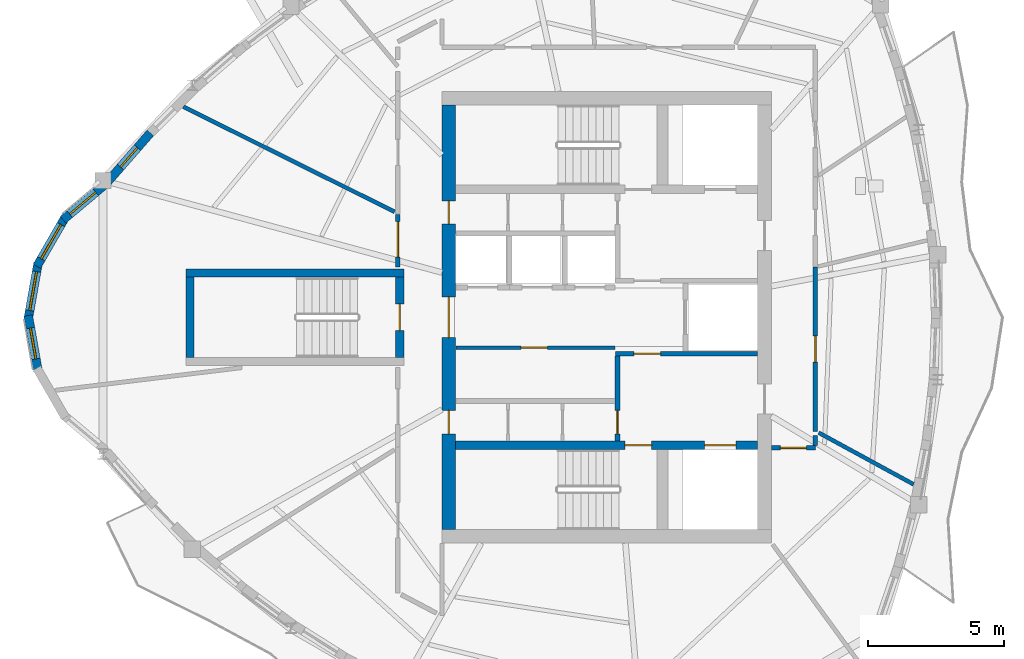
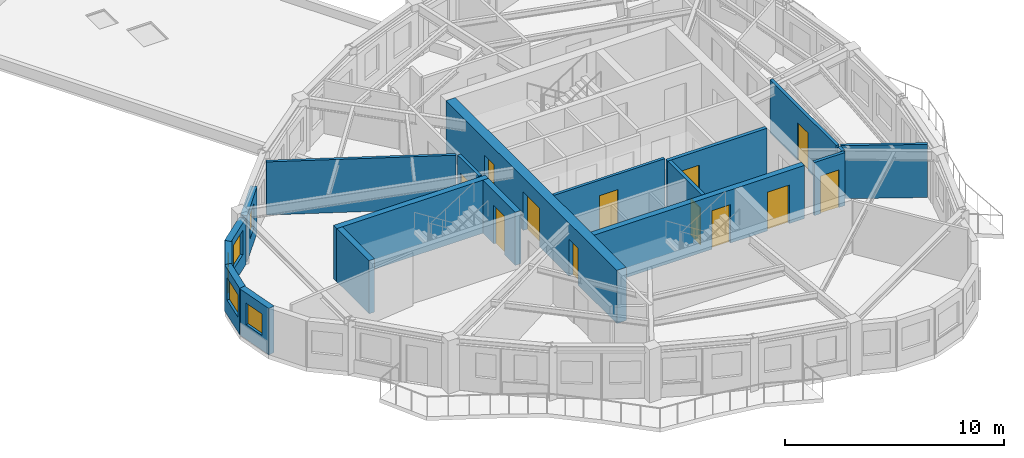
# One storey, part 4 of 11: 19 walls, 12 doors, 5 windows, 17 openings.
"""IFC4 building model written with IfcOpenShell, lengths in metres."""

from ifc_helpers import new_model, si_unit, direction, frame, frame_2d, origin, place, context, subcontext, project, spatial, rectangle, extrude, source, transform, mapped, material, layer, layer_set, type_object, element, fill, save


model = new_model("IFC4")

# Units and contexts
model_context = context("Model", 3, precision=1e-05, world=origin(), true_north=direction((0.0, 1.0)))
body_context = subcontext(model_context, "Body", "Model", "MODEL_VIEW")
ifc_project = project(units=[si_unit("LENGTHUNIT", "METRE"), si_unit("AREAUNIT", "SQUARE_METRE"), si_unit("VOLUMEUNIT", "CUBIC_METRE"), si_unit("PLANEANGLEUNIT", "RADIAN"), si_unit("MASSUNIT", "GRAM", prefix="KILO")], contexts=[model_context])

# Site, building, storey
site_placement = place(None, origin())
site = spatial("IfcSite", under=ifc_project, at=site_placement, CompositionType="ELEMENT")
building_placement = place(site_placement, origin())
building = spatial("IfcBuilding", under=site, at=building_placement, Name="Qafzar Sky-Pleat Residences", CompositionType="ELEMENT")
storey_placement = place(building_placement, frame((0.0, 0.0, 214.800048828125)))
storey = spatial("IfcBuildingStorey", under=building, at=storey_placement, Name="L64", CompositionType="ELEMENT", Elevation=214.800048828125)

# Wall, opening, door
ifc_material_1 = material(Name="Acoustic gypsum plasterboard partition", Category="gypsum")
ifc_layer_1 = layer(ifc_material_1, 0.159912109375)
ifc_layer_set_1 = layer_set([ifc_layer_1], Name="Acoustic gypsum plasterboard partition")
wall_type_1 = type_object("IfcWallType", Name="PART-COR-160", PredefinedType="PARTITIONING", material=ifc_layer_set_1)
wall_1_placement = place(storey_placement, frame((38.02001953125, 27.85498046875, 0.0), z_axis=(0.0, 0.0, 1.0), x_axis=(0.0, -1.0, 0.0)))
wall_1 = element("IfcWall", 1, at=wall_1_placement, inside=storey, type_object=wall_type_1, Name="L64 Partition Wall PART-L64-PW-001", PredefinedType="PARTITIONING", context=body_context, shape_type="SweptSolid", body=[
    extrude(rectangle(XDim=6.046875, YDim=0.159912109375, at=frame_2d((3.0234375, 0.0))), origin(), (0.0, 0.0, 1.0), 2.9599609375),
])
opening_1_placement = place(wall_1_placement, frame((2.54248046875, 0.0, 0.0)))
opening_1 = element("IfcOpeningElement", 2, at=opening_1_placement, cuts=wall_1, Name="Opening ID-06", PredefinedType="OPENING", context=body_context, shape_type="SweptSolid", body=[
    extrude(rectangle(XDim=0.9599609375, YDim=2.10009765625, at=frame_2d((0.47998046875, 1.050048828125))), frame((0.0, 0.08984375, 0.0), z_axis=(0.0, -1.0, 0.0), x_axis=(1.0, 0.0, 0.0)), (0.0, 0.0, 1.0), 0.179931640625),
])
ifc_material_2 = material(Name="Timber-faced fire door", Category="wood")
door_type_1 = type_object("IfcDoorType", Name="DR-STD-960", OperationType="NOTDEFINED", PredefinedType="DOOR", material=ifc_material_2)
shared_shape_1 = source(origin(), body_context, "Body", "SweptSolid", [
    extrude(rectangle(XDim=0.9599609375, YDim=2.10009765625, at=frame_2d((0.47998046875, 1.050048828125))), frame((0.0, 0.02490234375, 0.0), z_axis=(0.0, -1.0, 0.0), x_axis=(1.0, 0.0, 0.0)), (0.0, 0.0, 1.0), 0.050048828125),
])
door_1_placement = place(opening_1_placement, origin())
door_1 = element("IfcDoor", 3, at=door_1_placement, inside=storey, type_object=door_type_1, Name="L64 Media Screening Room Door", OperationType="SINGLE_SWING_RIGHT", OverallHeight=2.10009765625, OverallWidth=0.9599609375, PredefinedType="DOOR", context=body_context, shape_type="MappedRepresentation", body=[
    mapped(shared_shape_1, transform((0.0, 0.0, 0.0), x_axis=(1.0, 0.0, 0.0), y_axis=(0.0, 1.0, 0.0), z_axis=(0.0, 0.0, 1.0), scale=1.0)),
])
fill(opening_1, door_1)

wall_2_placement = place(storey_placement, frame((22.679931640625, 27.85009765625, 0.0), z_axis=(0.0, 0.0, 1.0), x_axis=(0.0, 1.0, 0.0)))
wall_2 = element("IfcWall", 4, at=wall_2_placement, inside=storey, type_object=wall_type_1, Name="L64 Partition Wall PART-L64-PW-009", PredefinedType="PARTITIONING", context=body_context, shape_type="SweptSolid", body=[
    extrude(rectangle(XDim=1.932861328125, YDim=0.159912109375, at=frame_2d((0.96630859375, 0.0))), origin(), (0.0, 0.0, 1.0), 2.9599609375),
])
opening_2_placement = place(wall_2_placement, frame((0.362060546875, 0.0, 0.0)))
opening_2 = element("IfcOpeningElement", 5, at=opening_2_placement, cuts=wall_2, Name="Opening ID-05", PredefinedType="OPENING", context=body_context, shape_type="SweptSolid", body=[
    extrude(rectangle(XDim=1.300048828125, YDim=2.10009765625, at=frame_2d((0.64990234375, 1.050048828125))), frame((0.0, 0.08984375, 0.0), z_axis=(0.0, -1.0, 0.0), x_axis=(1.0, 0.0, 0.0)), (0.0, 0.0, 1.0), 0.179931640625),
])
door_type_2 = type_object("IfcDoorType", Name="DR-LNG-1300", OperationType="DOUBLE_DOOR_SINGLE_SWING", PredefinedType="DOOR", material=ifc_material_2)
shared_shape_2 = source(origin(), body_context, "Body", "SweptSolid", [
    extrude(rectangle(XDim=1.300048828125, YDim=2.10009765625, at=frame_2d((0.64990234375, 1.050048828125))), frame((0.0, 0.02490234375, 0.0), z_axis=(0.0, -1.0, 0.0), x_axis=(1.0, 0.0, 0.0)), (0.0, 0.0, 1.0), 0.050048828125),
])
door_2_placement = place(opening_2_placement, origin())
door_2 = element("IfcDoor", 6, at=door_2_placement, inside=storey, type_object=door_type_2, Name="L64 Tutorial Huddle Room Door", OperationType="DOUBLE_DOOR_SINGLE_SWING", OverallHeight=2.10009765625, OverallWidth=1.300048828125, PredefinedType="DOOR", context=body_context, shape_type="MappedRepresentation", body=[
    mapped(shared_shape_2, transform((0.0, 0.0, 0.0), x_axis=(1.0, 0.0, 0.0), y_axis=(0.0, 1.0, 0.0), z_axis=(0.0, 0.0, 1.0), scale=1.0)),
])
fill(opening_2, door_2)

wall_3_placement = place(storey_placement, frame((38.02001953125, 21.199951171875, 0.0), z_axis=(0.0, 0.0, 1.0), x_axis=(-1.0, 0.0, 0.0)))
wall_3 = element("IfcWall", 7, at=wall_3_placement, inside=storey, type_object=wall_type_1, Name="L64 Partition Wall PART-L64-PW-010", PredefinedType="PARTITIONING", context=body_context, shape_type="SweptSolid", body=[
    extrude(rectangle(XDim=1.612060546875, YDim=0.159912109375, at=frame_2d((0.80615234375, 0.0))), origin(), (0.0, 0.0, 1.0), 2.9599609375),
])
opening_3_placement = place(wall_3_placement, frame((0.330078125, 0.0, 0.0)))
opening_3 = element("IfcOpeningElement", 8, at=opening_3_placement, cuts=wall_3, Name="Opening ID-06", PredefinedType="OPENING", context=body_context, shape_type="SweptSolid", body=[
    extrude(rectangle(XDim=0.9599609375, YDim=2.10009765625, at=frame_2d((0.47998046875, 1.050048828125))), frame((0.0, 0.08984375, 0.0), z_axis=(0.0, -1.0, 0.0), x_axis=(1.0, 0.0, 0.0)), (0.0, 0.0, 1.0), 0.179931640625),
])
door_3_placement = place(opening_3_placement, origin())
door_3 = element("IfcDoor", 9, at=door_3_placement, inside=storey, type_object=door_type_1, Name="L64 Music Practice Room Door", OperationType="SINGLE_SWING_LEFT", OverallHeight=2.10009765625, OverallWidth=0.9599609375, PredefinedType="DOOR", context=body_context, shape_type="MappedRepresentation", body=[
    mapped(shared_shape_1, transform((0.0, 0.0, 0.0), x_axis=(1.0, 0.0, 0.0), y_axis=(0.0, 1.0, 0.0), z_axis=(0.0, 0.0, 1.0), scale=1.0)),
])
fill(opening_3, door_3)

# Wall
wall_4_placement = place(storey_placement, frame((38.02001953125, 21.2880859375, 0.0), z_axis=(0.0, 0.0, 1.0), x_axis=(0.0, 1.0, 0.0)))
element("IfcWall", 10, at=wall_4_placement, inside=storey, type_object=wall_type_1, Name="L64 Partition Wall PART-L64-PW-030", PredefinedType="PARTITIONING", context=body_context, shape_type="SweptSolid", body=[
    extrude(rectangle(XDim=0.370849609375, YDim=0.159912109375, at=frame_2d((0.185546875, 0.0))), origin(), (0.0, 0.0, 1.0), 2.9599609375),
])

# Wall, opening, door
ifc_material_3 = material(Name="Concrete blockwork partition", Category="masonry")
ifc_layer_2 = layer(ifc_material_3, 0.179931640625)
ifc_layer_set_2 = layer_set([ifc_layer_2], Name="Concrete blockwork partition")
wall_type_2 = type_object("IfcWallType", Name="PART-SHAFT-180", PredefinedType="PARTITIONING", material=ifc_layer_set_2)
wall_5_placement = place(storey_placement, frame((30.75, 21.4599609375, 0.0), z_axis=(0.0, 0.0, 1.0), x_axis=(0.0, 1.0, 0.0)))
wall_5 = element("IfcWall", 11, at=wall_5_placement, inside=storey, type_object=wall_type_2, Name="L64 Partition Wall PART-L64-FFL1-W", PredefinedType="PARTITIONING", context=body_context, shape_type="SweptSolid", body=[
    extrude(rectangle(XDim=3.110107421875, YDim=0.179931640625, at=frame_2d((1.55517578125, 0.0))), origin(), (0.0, 0.0, 1.0), 2.9599609375),
])
opening_4_placement = place(wall_5_placement, frame((0.260009765625, 0.0, 0.0)))
opening_4 = element("IfcOpeningElement", 12, at=opening_4_placement, cuts=wall_5, Name="Opening ID-09", PredefinedType="OPENING", context=body_context, shape_type="SweptSolid", body=[
    extrude(rectangle(XDim=0.860107421875, YDim=2.050048828125, at=frame_2d((0.43017578125, 1.02490234375))), frame((0.0, 0.10009765625, 0.0), z_axis=(0.0, -1.0, 0.0), x_axis=(1.0, 0.0, 0.0)), (0.0, 0.0, 1.0), 0.199951171875),
])
door_type_3 = type_object("IfcDoorType", Name="DR-SVC-860", OperationType="NOTDEFINED", PredefinedType="DOOR", material=ifc_material_2)
shared_shape_3 = source(origin(), body_context, "Body", "SweptSolid", [
    extrude(rectangle(XDim=0.860107421875, YDim=2.050048828125, at=frame_2d((0.43017578125, 1.02490234375))), frame((0.0, 0.02490234375, 0.0), z_axis=(0.0, -1.0, 0.0), x_axis=(1.0, 0.0, 0.0)), (0.0, 0.0, 1.0), 0.050048828125),
])
door_4_placement = place(opening_4_placement, origin())
door_4 = element("IfcDoor", 13, at=door_4_placement, inside=storey, type_object=door_type_3, Name="L64 South Core Cupboard Door", OperationType="SINGLE_SWING_LEFT", OverallHeight=2.050048828125, OverallWidth=0.860107421875, PredefinedType="DOOR", context=body_context, shape_type="MappedRepresentation", body=[
    mapped(shared_shape_3, transform((0.0, 0.0, 0.0), x_axis=(1.0, 0.0, 0.0), y_axis=(0.0, 1.0, 0.0), z_axis=(0.0, 0.0, 1.0), scale=1.0)),
])
fill(opening_4, door_4)

wall_6_placement = place(storey_placement, frame((30.669921875, 24.659912109375, 0.0), z_axis=(0.0, 0.0, 1.0), x_axis=(1.0, 0.0, 0.0)))
wall_6 = element("IfcWall", 14, at=wall_6_placement, inside=storey, type_object=wall_type_2, Name="L64 Partition Wall PART-L64-FFL1-N", PredefinedType="PARTITIONING", context=body_context, shape_type="SweptSolid", body=[
    extrude(rectangle(XDim=5.219970703125, YDim=0.179931640625, at=frame_2d((2.60986328125, 0.0))), origin(), (0.0, 0.0, 1.0), 2.9599609375),
])
opening_5_placement = place(wall_6_placement, frame((0.679931640625, 0.0, 0.0)))
opening_5 = element("IfcOpeningElement", 15, at=opening_5_placement, cuts=wall_6, Name="Opening ID-01", PredefinedType="OPENING", context=body_context, shape_type="SweptSolid", body=[
    extrude(rectangle(XDim=0.97998046875, YDim=2.14990234375, at=frame_2d((0.489990234375, 1.074951171875))), frame((0.0, 0.10009765625, 0.0), z_axis=(0.0, -1.0, 0.0), x_axis=(1.0, 0.0, 0.0)), (0.0, 0.0, 1.0), 0.199951171875),
])
door_type_4 = type_object("IfcDoorType", Name="DR-STAIR-980", OperationType="NOTDEFINED", PredefinedType="DOOR", material=ifc_material_2)
shared_shape_4 = source(origin(), body_context, "Body", "SweptSolid", [
    extrude(rectangle(XDim=0.97998046875, YDim=2.14990234375, at=frame_2d((0.489990234375, 1.074951171875))), frame((0.0, 0.02490234375, 0.0), z_axis=(0.0, -1.0, 0.0), x_axis=(1.0, 0.0, 0.0)), (0.0, 0.0, 1.0), 0.050048828125),
])
door_5_placement = place(opening_5_placement, origin())
door_5 = element("IfcDoor", 16, at=door_5_placement, inside=storey, type_object=door_type_4, Name="L64 Lift Lobby to South Firefighting Lobby Door", OperationType="SINGLE_SWING_RIGHT", OverallHeight=2.14990234375, OverallWidth=0.97998046875, PredefinedType="DOOR", context=body_context, shape_type="MappedRepresentation", body=[
    mapped(shared_shape_4, transform((0.0, 0.0, 0.0), x_axis=(1.0, 0.0, 0.0), y_axis=(0.0, 1.0, 0.0), z_axis=(0.0, 0.0, 1.0), scale=1.0)),
])
fill(opening_5, door_5)

ifc_layer_3 = layer(ifc_material_1, 0.14501953125)
ifc_layer_set_3 = layer_set([ifc_layer_3], Name="Acoustic gypsum plasterboard partition")
wall_type_3 = type_object("IfcWallType", Name="PART-UNIT-145", PredefinedType="PARTITIONING", material=ifc_layer_set_3)
wall_7_placement = place(storey_placement, frame((24.81005859375, 24.8798828125, 0.0), z_axis=(0.0, 0.0, 1.0), x_axis=(1.0, 0.0, 0.0)))
wall_7 = element("IfcWall", 17, at=wall_7_placement, inside=storey, type_object=wall_type_3, Name="L64 Partition Wall PART-L64-RECLAIM-N", PredefinedType="PARTITIONING", context=body_context, shape_type="SweptSolid", body=[
    extrude(rectangle(XDim=5.83984375, YDim=0.14501953125, at=frame_2d((2.919921875, 0.0))), origin(), (0.0, 0.0, 1.0), 2.9599609375),
])
opening_6_placement = place(wall_7_placement, frame((2.39990234375, 0.0, 0.0)))
opening_6 = element("IfcOpeningElement", 18, at=opening_6_placement, cuts=wall_7, Name="Opening ID-06", PredefinedType="OPENING", context=body_context, shape_type="SweptSolid", body=[
    extrude(rectangle(XDim=0.9599609375, YDim=2.10009765625, at=frame_2d((0.47998046875, 1.050048828125))), frame((0.0, 0.08251953125, 0.0), z_axis=(0.0, -1.0, 0.0), x_axis=(1.0, 0.0, 0.0)), (0.0, 0.0, 1.0), 0.1650390625),
])
door_6_placement = place(opening_6_placement, origin())
door_6 = element("IfcDoor", 19, at=door_6_placement, inside=storey, type_object=door_type_1, Name="L64 Reclaimed Resident Laundry Room Door", OperationType="SINGLE_SWING_LEFT", OverallHeight=2.10009765625, OverallWidth=0.9599609375, PredefinedType="DOOR", context=body_context, shape_type="MappedRepresentation", body=[
    mapped(shared_shape_1, transform((0.0, 0.0, 0.0), x_axis=(1.0, 0.0, 0.0), y_axis=(0.0, 1.0, 0.0), z_axis=(0.0, 0.0, 1.0), scale=1.0)),
])
fill(opening_6, door_6)

# Walls
wall_8_placement = place(storey_placement, frame((14.801513671875, 33.73388671875, 0.0), z_axis=(0.0, 0.0, 1.0), x_axis=(0.895354955696, -0.445353234311, 0.0)))
element("IfcWall", 20, at=wall_8_placement, inside=storey, type_object=wall_type_3, Name="L64 Partition Wall PART-L64-PW-011", PredefinedType="PARTITIONING", context=body_context, shape_type="SweptSolid", body=[
    extrude(rectangle(XDim=8.665771484375, YDim=0.14501953125, at=frame_2d((4.3330078125, 0.0))), origin(), (0.0, 0.0, 1.0), 2.9599609375),
])
wall_9_placement = place(storey_placement, frame((38.1416015625, 21.7587890625, 0.0), z_axis=(0.0, 0.0, 1.0), x_axis=(0.878323390095, -0.478066964359, 0.0)))
element("IfcWall", 21, at=wall_9_placement, inside=storey, type_object=wall_type_3, Name="L64 Partition Wall PART-L64-PW-018", PredefinedType="PARTITIONING", context=body_context, shape_type="SweptSolid", body=[
    extrude(rectangle(XDim=3.966064453125, YDim=0.14501953125, at=frame_2d((1.98291015625, 0.0))), origin(), (0.0, 0.0, 1.0), 2.9599609375),
])

# Wall, opening, window
ifc_material_4 = material(Name="Precast concrete C40/50 with honed Riyadh limestone", Category="concrete")
ifc_layer_4 = layer(ifc_material_4, 0.320068359375)
ifc_layer_set_4 = layer_set([ifc_layer_4], Name="Precast concrete C40/50 with honed Riyadh limestone")
wall_type_4 = type_object("IfcWallType", Name="WALL-EXT-320", PredefinedType="SOLIDWALL", material=ifc_layer_set_4)
wall_10_placement = place(storey_placement, frame((11.8837890625, 30.842529296875, 0.0), z_axis=(0.0, 0.0, 1.0), x_axis=(-0.76606505432, -0.642763045414, 0.0)))
wall_10 = element("IfcWall", 22, at=wall_10_placement, inside=storey, type_object=wall_type_4, Name="L64 Limestone Facade Wall 1", PredefinedType="SOLIDWALL", context=body_context, shape_type="SweptSolid", body=[
    extrude(rectangle(XDim=1.962158203125, YDim=0.320068359375, at=frame_2d((0.98095703125, 0.0))), origin(), (0.0, 0.0, 1.0), 2.579833984375),
])
opening_7_placement = place(wall_10_placement, frame((0.39111328125, 0.0, 0.820068359375)))
opening_7 = element("IfcOpeningElement", 23, at=opening_7_placement, cuts=wall_10, Name="Opening WN-11", PredefinedType="OPENING", context=body_context, shape_type="SweptSolid", body=[
    extrude(rectangle(XDim=1.25, YDim=1.35009765625, at=frame_2d((0.625, 0.675048828125))), frame((0.0, 0.169921875, 0.0), z_axis=(0.0, -1.0, 0.0), x_axis=(1.0, 0.0, 0.0)), (0.0, 0.0, 1.0), 0.340087890625),
])
ifc_material_5 = material(Name="Solar-control low-E glass in bronze aluminium frame", Category="glass")
window_type_1 = type_object("IfcWindowType", Name="WIN-11", PartitioningType="SINGLE_PANEL", PredefinedType="WINDOW", material=ifc_material_5)
shared_shape_5 = source(origin(), body_context, "Body", "SweptSolid", [
    extrude(rectangle(XDim=1.25, YDim=1.35009765625, at=frame_2d((0.625, 0.675048828125))), frame((0.0, 0.030029296875, 0.0), z_axis=(0.0, -1.0, 0.0), x_axis=(1.0, 0.0, 0.0)), (0.0, 0.0, 1.0), 0.06005859375),
])
window_1_placement = place(opening_7_placement, origin())
window_1 = element("IfcWindow", 24, at=window_1_placement, inside=storey, type_object=window_type_1, Name="L64 Punched Facade Window 01", OverallHeight=1.35009765625, OverallWidth=1.25, PartitioningType="SINGLE_PANEL", PredefinedType="WINDOW", context=body_context, shape_type="MappedRepresentation", body=[
    mapped(shared_shape_5, transform((0.0, 0.0, 0.0), x_axis=(1.0, 0.0, 0.0), y_axis=(0.0, 1.0, 0.0), z_axis=(0.0, 0.0, 1.0), scale=1.0)),
])
fill(opening_7, window_1)

wall_11_placement = place(storey_placement, frame((10.464599609375, 29.68115234375, 0.0), z_axis=(0.0, 0.0, 1.0), x_axis=(-0.499995423472, -0.866028046028, 0.0)))
wall_11 = element("IfcWall", 25, at=wall_11_placement, inside=storey, type_object=wall_type_4, Name="L64 Limestone Facade Wall 2", PredefinedType="SOLIDWALL", context=body_context, shape_type="SweptSolid", body=[
    extrude(rectangle(XDim=2.09033203125, YDim=0.320068359375, at=frame_2d((1.045166015625, 0.0))), origin(), (0.0, 0.0, 1.0), 2.579833984375),
])
opening_8_placement = place(wall_11_placement, frame((0.3203125, 0.0, 0.820068359375)))
opening_8 = element("IfcOpeningElement", 26, at=opening_8_placement, cuts=wall_11, Name="Opening WN-15", PredefinedType="OPENING", context=body_context, shape_type="SweptSolid", body=[
    extrude(rectangle(XDim=1.449951171875, YDim=1.25, at=frame_2d((0.72509765625, 0.625))), frame((0.0, 0.169921875, 0.0), z_axis=(0.0, -1.0, 0.0), x_axis=(1.0, 0.0, 0.0)), (0.0, 0.0, 1.0), 0.340087890625),
])
window_type_2 = type_object("IfcWindowType", Name="WIN-15", PartitioningType="SINGLE_PANEL", PredefinedType="WINDOW", material=ifc_material_5)
shared_shape_6 = source(origin(), body_context, "Body", "SweptSolid", [
    extrude(rectangle(XDim=1.449951171875, YDim=1.25, at=frame_2d((0.72509765625, 0.625))), frame((0.0, 0.030029296875, 0.0), z_axis=(0.0, -1.0, 0.0), x_axis=(1.0, 0.0, 0.0)), (0.0, 0.0, 1.0), 0.06005859375),
])
window_2_placement = place(opening_8_placement, origin())
window_2 = element("IfcWindow", 27, at=window_2_placement, inside=storey, type_object=window_type_2, Name="L64 Punched Facade Window 02", OverallHeight=1.25, OverallWidth=1.449951171875, PartitioningType="SINGLE_PANEL", PredefinedType="WINDOW", context=body_context, shape_type="MappedRepresentation", body=[
    mapped(shared_shape_6, transform((0.0, 0.0, 0.0), x_axis=(1.0, 0.0, 0.0), y_axis=(0.0, 1.0, 0.0), z_axis=(0.0, 0.0, 1.0), scale=1.0)),
])
fill(opening_8, window_2)

wall_12_placement = place(storey_placement, frame((9.464111328125, 27.993408203125, 0.0), z_axis=(0.0, 0.0, 1.0), x_axis=(-0.173672066494, -0.984803540469, 0.0)))
wall_12 = element("IfcWall", 28, at=wall_12_placement, inside=storey, type_object=wall_type_4, Name="L64 Limestone Facade Wall 3", PredefinedType="SOLIDWALL", context=body_context, shape_type="SweptSolid", body=[
    extrude(rectangle(XDim=2.09033203125, YDim=0.320068359375, at=frame_2d((1.045166015625, 0.0))), origin(), (0.0, 0.0, 1.0), 2.579833984375),
])
opening_9_placement = place(wall_12_placement, frame((0.3203125, 0.0, 0.820068359375)))
opening_9 = element("IfcOpeningElement", 29, at=opening_9_placement, cuts=wall_12, Name="Opening WN-15", PredefinedType="OPENING", context=body_context, shape_type="SweptSolid", body=[
    extrude(rectangle(XDim=1.449951171875, YDim=1.25, at=frame_2d((0.72509765625, 0.625))), frame((0.0, 0.169921875, 0.0), z_axis=(0.0, -1.0, 0.0), x_axis=(1.0, 0.0, 0.0)), (0.0, 0.0, 1.0), 0.340087890625),
])
window_3_placement = place(opening_9_placement, origin())
window_3 = element("IfcWindow", 30, at=window_3_placement, inside=storey, type_object=window_type_2, Name="L64 Punched Facade Window 03", OverallHeight=1.25, OverallWidth=1.449951171875, PartitioningType="SINGLE_PANEL", PredefinedType="WINDOW", context=body_context, shape_type="MappedRepresentation", body=[
    mapped(shared_shape_6, transform((0.0, 0.0, 0.0), x_axis=(1.0, 0.0, 0.0), y_axis=(0.0, 1.0, 0.0), z_axis=(0.0, 0.0, 1.0), scale=1.0)),
])
fill(opening_9, window_3)

wall_13_placement = place(storey_placement, frame((9.10107421875, 26.065185546875, 0.0), z_axis=(0.0, 0.0, 1.0), x_axis=(0.173672066494, -0.984803540469, 0.0)))
wall_13 = element("IfcWall", 31, at=wall_13_placement, inside=storey, type_object=wall_type_4, Name="L64 Limestone Facade Wall 4", PredefinedType="SOLIDWALL", context=body_context, shape_type="SweptSolid", body=[
    extrude(rectangle(XDim=2.09033203125, YDim=0.320068359375, at=frame_2d((1.045166015625, 0.0))), origin(), (0.0, 0.0, 1.0), 2.579833984375),
])
opening_10_placement = place(wall_13_placement, frame((0.47021484375, 0.0, 0.820068359375)))
opening_10 = element("IfcOpeningElement", 32, at=opening_10_placement, cuts=wall_13, Name="Opening WN-16", PredefinedType="OPENING", context=body_context, shape_type="SweptSolid", body=[
    extrude(rectangle(XDim=1.14990234375, YDim=1.199951171875, at=frame_2d((0.574951171875, 0.60009765625))), frame((0.0, 0.169921875, 0.0), z_axis=(0.0, -1.0, 0.0), x_axis=(1.0, 0.0, 0.0)), (0.0, 0.0, 1.0), 0.340087890625),
])
window_type_3 = type_object("IfcWindowType", Name="WIN-16", PartitioningType="SINGLE_PANEL", PredefinedType="WINDOW", material=ifc_material_5)
shared_shape_7 = source(origin(), body_context, "Body", "SweptSolid", [
    extrude(rectangle(XDim=1.14990234375, YDim=1.199951171875, at=frame_2d((0.574951171875, 0.60009765625))), frame((0.0, 0.030029296875, 0.0), z_axis=(0.0, -1.0, 0.0), x_axis=(1.0, 0.0, 0.0)), (0.0, 0.0, 1.0), 0.06005859375),
])
window_4_placement = place(opening_10_placement, origin())
window_4 = element("IfcWindow", 33, at=window_4_placement, inside=storey, type_object=window_type_3, Name="L64 Punched Facade Window 04", OverallHeight=1.199951171875, OverallWidth=1.14990234375, PartitioningType="SINGLE_PANEL", PredefinedType="WINDOW", context=body_context, shape_type="MappedRepresentation", body=[
    mapped(shared_shape_7, transform((0.0, 0.0, 0.0), x_axis=(1.0, 0.0, 0.0), y_axis=(0.0, 1.0, 0.0), z_axis=(0.0, 0.0, 1.0), scale=1.0)),
])
fill(opening_10, window_4)

wall_14_placement = place(storey_placement, frame((13.590576171875, 32.773681640625, 0.0), z_axis=(0.0, 0.0, 1.0), x_axis=(-0.657601126926, -0.753366283999, 0.0)))
wall_14 = element("IfcWall", 34, at=wall_14_placement, inside=storey, type_object=wall_type_4, Name="L64 Limestone Facade Wall 48", PredefinedType="SOLIDWALL", context=body_context, shape_type="SweptSolid", body=[
    extrude(rectangle(XDim=2.37353515625, YDim=0.320068359375, at=frame_2d((1.186767578125, 0.0))), origin(), (0.0, 0.0, 1.0), 2.579833984375),
])
opening_11_placement = place(wall_14_placement, frame((0.716796875, 0.0, 0.820068359375)))
opening_11 = element("IfcOpeningElement", 35, at=opening_11_placement, cuts=wall_14, Name="Opening WN-12", PredefinedType="OPENING", context=body_context, shape_type="SweptSolid", body=[
    extrude(rectangle(XDim=0.949951171875, YDim=1.35009765625, at=frame_2d((0.47509765625, 0.675048828125))), frame((0.0, 0.169921875, 0.0), z_axis=(0.0, -1.0, 0.0), x_axis=(1.0, 0.0, 0.0)), (0.0, 0.0, 1.0), 0.340087890625),
])
window_type_4 = type_object("IfcWindowType", Name="WIN-12", PartitioningType="SINGLE_PANEL", PredefinedType="WINDOW", material=ifc_material_5)
shared_shape_8 = source(origin(), body_context, "Body", "SweptSolid", [
    extrude(rectangle(XDim=0.949951171875, YDim=1.35009765625, at=frame_2d((0.47509765625, 0.675048828125))), frame((0.0, 0.030029296875, 0.0), z_axis=(0.0, -1.0, 0.0), x_axis=(1.0, 0.0, 0.0)), (0.0, 0.0, 1.0), 0.06005859375),
])
window_5_placement = place(opening_11_placement, origin())
window_5 = element("IfcWindow", 36, at=window_5_placement, inside=storey, type_object=window_type_4, Name="L64 Punched Facade Window 48", OverallHeight=1.35009765625, OverallWidth=0.949951171875, PartitioningType="SINGLE_PANEL", PredefinedType="WINDOW", context=body_context, shape_type="MappedRepresentation", body=[
    mapped(shared_shape_8, transform((0.0, 0.0, 0.0), x_axis=(1.0, 0.0, 0.0), y_axis=(0.0, 1.0, 0.0), z_axis=(0.0, 0.0, 1.0), scale=1.0)),
])
fill(opening_11, window_5)

# Wall, openings, doors
ifc_material_6 = material(Name="Concrete C60/75", Category="concrete")
ifc_layer_5 = layer(ifc_material_6, 0.300048828125)
ifc_layer_set_5 = layer_set([ifc_layer_5], Name="Concrete C60/75")
wall_type_5 = type_object("IfcWallType", Name="WALL-SHEAR-300", PredefinedType="SHEAR", material=ifc_layer_set_5)
wall_15_placement = place(storey_placement, frame((24.800048828125, 21.300048828125, 0.0), z_axis=(0.0, 0.0, 1.0), x_axis=(1.0, 0.0, 0.0)))
wall_15 = element("IfcWall", 37, at=wall_15_placement, inside=storey, type_object=wall_type_5, Name="L64 Stair ST1 and FF1 Shaft North Wall", PredefinedType="SHEAR", context=body_context, shape_type="SweptSolid", body=[
    extrude(rectangle(XDim=11.099853515625, YDim=0.300048828125, at=frame_2d((5.5498046875, 0.0))), origin(), (0.0, 0.0, 1.0), 2.9599609375),
])
opening_12_placement = place(wall_15_placement, frame((6.219970703125, 0.0, 0.0)))
opening_12 = element("IfcOpeningElement", 38, at=opening_12_placement, cuts=wall_15, Name="Opening ID-01", PredefinedType="OPENING", context=body_context, shape_type="SweptSolid", body=[
    extrude(rectangle(XDim=0.97998046875, YDim=2.14990234375, at=frame_2d((0.489990234375, 1.074951171875))), frame((0.0, 0.16015625, 0.0), z_axis=(0.0, -1.0, 0.0), x_axis=(1.0, 0.0, 0.0)), (0.0, 0.0, 1.0), 0.320068359375),
])
opening_13_placement = place(wall_15_placement, frame((9.14990234375, 0.0, 0.0)))
opening_13 = element("IfcOpeningElement", 39, at=opening_13_placement, cuts=wall_15, Name="Opening LD-02", PredefinedType="OPENING", context=body_context, shape_type="SweptSolid", body=[
    extrude(rectangle(XDim=1.14990234375, YDim=2.14990234375, at=frame_2d((0.574951171875, 1.074951171875))), frame((0.0, 0.16015625, 0.0), z_axis=(0.0, -1.0, 0.0), x_axis=(1.0, 0.0, 0.0)), (0.0, 0.0, 1.0), 0.320068359375),
])
door_7_placement = place(opening_12_placement, origin())
door_7 = element("IfcDoor", 40, at=door_7_placement, inside=storey, type_object=door_type_4, Name="L64 Stair ST1 Fire Door", OperationType="SINGLE_SWING_RIGHT", OverallHeight=2.14990234375, OverallWidth=0.97998046875, PredefinedType="DOOR", context=body_context, shape_type="MappedRepresentation", body=[
    mapped(shared_shape_4, transform((0.0, 0.0, 0.0), x_axis=(1.0, 0.0, 0.0), y_axis=(0.0, 1.0, 0.0), z_axis=(0.0, 0.0, 1.0), scale=1.0)),
])
fill(opening_12, door_7)
ifc_material_7 = material(Name="Stainless steel sliding landing door", Category="steel")
door_type_5 = type_object("IfcDoorType", Name="DR-LIFT-FF", OperationType="DOUBLE_DOOR_SLIDING", PredefinedType="DOOR", material=ifc_material_7)
shared_shape_9 = source(origin(), body_context, "Body", "SweptSolid", [
    extrude(rectangle(XDim=1.14990234375, YDim=2.14990234375, at=frame_2d((0.574951171875, 1.074951171875))), frame((0.0, 0.02490234375, 0.0), z_axis=(0.0, -1.0, 0.0), x_axis=(1.0, 0.0, 0.0)), (0.0, 0.0, 1.0), 0.050048828125),
])
door_8_placement = place(opening_13_placement, origin())
door_8 = element("IfcDoor", 41, at=door_8_placement, inside=storey, type_object=door_type_5, Name="L64 Firefighting Lift FF1 Landing Door", OperationType="DOUBLE_DOOR_SLIDING", OverallHeight=2.14990234375, OverallWidth=1.14990234375, PredefinedType="DOOR", context=body_context, shape_type="MappedRepresentation", body=[
    mapped(shared_shape_9, transform((0.0, 0.0, 0.0), x_axis=(1.0, 0.0, 0.0), y_axis=(0.0, 1.0, 0.0), z_axis=(0.0, 0.0, 1.0), scale=1.0)),
])
fill(opening_13, door_8)

# Walls
wall_16_placement = place(storey_placement, frame((22.89990234375, 27.625, 0.0), z_axis=(0.0, 0.0, 1.0), x_axis=(-1.0, 0.0, 0.0)))
element("IfcWall", 42, at=wall_16_placement, inside=storey, type_object=wall_type_5, Name="L64 ST3 wall N", PredefinedType="SHEAR", context=body_context, shape_type="SweptSolid", body=[
    extrude(rectangle(XDim=8.0, YDim=0.300048828125, at=frame_2d((4.0, 0.0))), origin(), (0.0, 0.0, 1.0), 2.9599609375),
])
wall_17_placement = place(storey_placement, frame((15.050048828125, 27.47509765625, 0.0), z_axis=(0.0, 0.0, 1.0), x_axis=(0.0, -1.0, 0.0)))
element("IfcWall", 43, at=wall_17_placement, inside=storey, type_object=wall_type_5, Name="L64 ST3 wall W", PredefinedType="SHEAR", context=body_context, shape_type="SweptSolid", body=[
    extrude(rectangle(XDim=2.9501953125, YDim=0.300048828125, at=frame_2d((1.47509765625, 0.0))), origin(), (0.0, 0.0, 1.0), 2.9599609375),
])

# Wall, opening, door
wall_18_placement = place(storey_placement, frame((22.75, 24.52490234375, 0.0), z_axis=(0.0, 0.0, 1.0), x_axis=(0.0, 1.0, 0.0)))
wall_18 = element("IfcWall", 44, at=wall_18_placement, inside=storey, type_object=wall_type_5, Name="L64 ST3 wall E", PredefinedType="SHEAR", context=body_context, shape_type="SweptSolid", body=[
    extrude(rectangle(XDim=2.9501953125, YDim=0.300048828125, at=frame_2d((1.47509765625, 0.0))), origin(), (0.0, 0.0, 1.0), 2.9599609375),
])
opening_14_placement = place(wall_18_placement, frame((0.985107421875, 0.0, 0.0)))
opening_14 = element("IfcOpeningElement", 45, at=opening_14_placement, cuts=wall_18, Name="Opening ID-01", PredefinedType="OPENING", context=body_context, shape_type="SweptSolid", body=[
    extrude(rectangle(XDim=0.97998046875, YDim=2.14990234375, at=frame_2d((0.489990234375, 1.074951171875))), frame((0.0, 0.16015625, 0.0), z_axis=(0.0, -1.0, 0.0), x_axis=(1.0, 0.0, 0.0)), (0.0, 0.0, 1.0), 0.320068359375),
])
door_9_placement = place(opening_14_placement, origin())
door_9 = element("IfcDoor", 46, at=door_9_placement, inside=storey, type_object=door_type_4, Name="L64 Stair ST3 Fire Door", OperationType="SINGLE_SWING_RIGHT", OverallHeight=2.14990234375, OverallWidth=0.97998046875, PredefinedType="DOOR", context=body_context, shape_type="MappedRepresentation", body=[
    mapped(shared_shape_4, transform((0.0, 0.0, 0.0), x_axis=(1.0, 0.0, 0.0), y_axis=(0.0, 1.0, 0.0), z_axis=(0.0, 0.0, 1.0), scale=1.0)),
])
fill(opening_14, door_9)

# Wall, openings, doors
ifc_layer_6 = layer(ifc_material_6, 0.5)
ifc_layer_set_6 = layer_set([ifc_layer_6], Name="Concrete C60/75")
wall_type_6 = type_object("IfcWallType", Name="WALL-SHEAR-500", PredefinedType="SHEAR", material=ifc_layer_set_6)
wall_19_placement = place(storey_placement, frame((24.550048828125, 33.800048828125, 0.0), z_axis=(0.0, 0.0, 1.0), x_axis=(0.0, -1.0, 0.0)))
wall_19 = element("IfcWall", 47, at=wall_19_placement, inside=storey, type_object=wall_type_6, Name="L64 CORE wall W", PredefinedType="SHEAR", context=body_context, shape_type="SweptSolid", body=[
    extrude(rectangle(XDim=15.60009765625, YDim=0.5, at=frame_2d((7.800048828125, 0.0))), origin(), (0.0, 0.0, 1.0), 2.9599609375),
])
opening_15_placement = place(wall_19_placement, frame((7.050048828125, 0.0, 0.0)))
opening_15 = element("IfcOpeningElement", 48, at=opening_15_placement, cuts=wall_19, Name="Opening ID-03", PredefinedType="OPENING", context=body_context, shape_type="SweptSolid", body=[
    extrude(rectangle(XDim=1.5, YDim=2.14990234375, at=frame_2d((0.75, 1.074951171875))), frame((0.0, 0.260009765625, 0.0), z_axis=(0.0, -1.0, 0.0), x_axis=(1.0, 0.0, 0.0)), (0.0, 0.0, 1.0), 0.52001953125),
])
opening_16_placement = place(wall_19_placement, frame((3.52001953125, 0.0, 0.0)))
opening_16 = element("IfcOpeningElement", 49, at=opening_16_placement, cuts=wall_19, Name="Opening ID-09", PredefinedType="OPENING", context=body_context, shape_type="SweptSolid", body=[
    extrude(rectangle(XDim=0.860107421875, YDim=2.050048828125, at=frame_2d((0.43017578125, 1.02490234375))), frame((0.0, 0.260009765625, 0.0), z_axis=(0.0, -1.0, 0.0), x_axis=(1.0, 0.0, 0.0)), (0.0, 0.0, 1.0), 0.52001953125),
])
opening_17_placement = place(wall_19_placement, frame((11.219970703125, 0.0, 0.0)))
opening_17 = element("IfcOpeningElement", 50, at=opening_17_placement, cuts=wall_19, Name="Opening ID-09", PredefinedType="OPENING", context=body_context, shape_type="SweptSolid", body=[
    extrude(rectangle(XDim=0.860107421875, YDim=2.050048828125, at=frame_2d((0.43017578125, 1.02490234375))), frame((0.0, 0.260009765625, 0.0), z_axis=(0.0, -1.0, 0.0), x_axis=(1.0, 0.0, 0.0)), (0.0, 0.0, 1.0), 0.52001953125),
])
door_type_6 = type_object("IfcDoorType", Name="DR-COR-1500", OperationType="DOUBLE_DOOR_SINGLE_SWING", PredefinedType="DOOR", material=ifc_material_2)
shared_shape_10 = source(origin(), body_context, "Body", "SweptSolid", [
    extrude(rectangle(XDim=1.5, YDim=2.14990234375, at=frame_2d((0.75, 1.074951171875))), frame((0.0, 0.02490234375, 0.0), z_axis=(0.0, -1.0, 0.0), x_axis=(1.0, 0.0, 0.0)), (0.0, 0.0, 1.0), 0.050048828125),
])
door_10_placement = place(opening_15_placement, origin())
door_10 = element("IfcDoor", 51, at=door_10_placement, inside=storey, type_object=door_type_6, Name="L64 Lift Lobby West Double Door", OperationType="DOUBLE_DOOR_SINGLE_SWING", OverallHeight=2.14990234375, OverallWidth=1.5, PredefinedType="DOOR", context=body_context, shape_type="MappedRepresentation", body=[
    mapped(shared_shape_10, transform((0.0, 0.0, 0.0), x_axis=(1.0, 0.0, 0.0), y_axis=(0.0, 1.0, 0.0), z_axis=(0.0, 0.0, 1.0), scale=1.0)),
])
fill(opening_15, door_10)
door_11_placement = place(opening_16_placement, origin())
door_11 = element("IfcDoor", 52, at=door_11_placement, inside=storey, type_object=door_type_3, Name="L64 Core North-West Service Door", OperationType="SINGLE_SWING_LEFT", OverallHeight=2.050048828125, OverallWidth=0.860107421875, PredefinedType="DOOR", context=body_context, shape_type="MappedRepresentation", body=[
    mapped(shared_shape_3, transform((0.0, 0.0, 0.0), x_axis=(1.0, 0.0, 0.0), y_axis=(0.0, 1.0, 0.0), z_axis=(0.0, 0.0, 1.0), scale=1.0)),
])
fill(opening_16, door_11)
door_12_placement = place(opening_17_placement, origin())
door_12 = element("IfcDoor", 53, at=door_12_placement, inside=storey, type_object=door_type_3, Name="L64 Core South-West Service Door", OperationType="SINGLE_SWING_RIGHT", OverallHeight=2.050048828125, OverallWidth=0.860107421875, PredefinedType="DOOR", context=body_context, shape_type="MappedRepresentation", body=[
    mapped(shared_shape_3, transform((0.0, 0.0, 0.0), x_axis=(1.0, 0.0, 0.0), y_axis=(0.0, 1.0, 0.0), z_axis=(0.0, 0.0, 1.0), scale=1.0)),
])
fill(opening_17, door_12)

save(model, "model.ifc")
